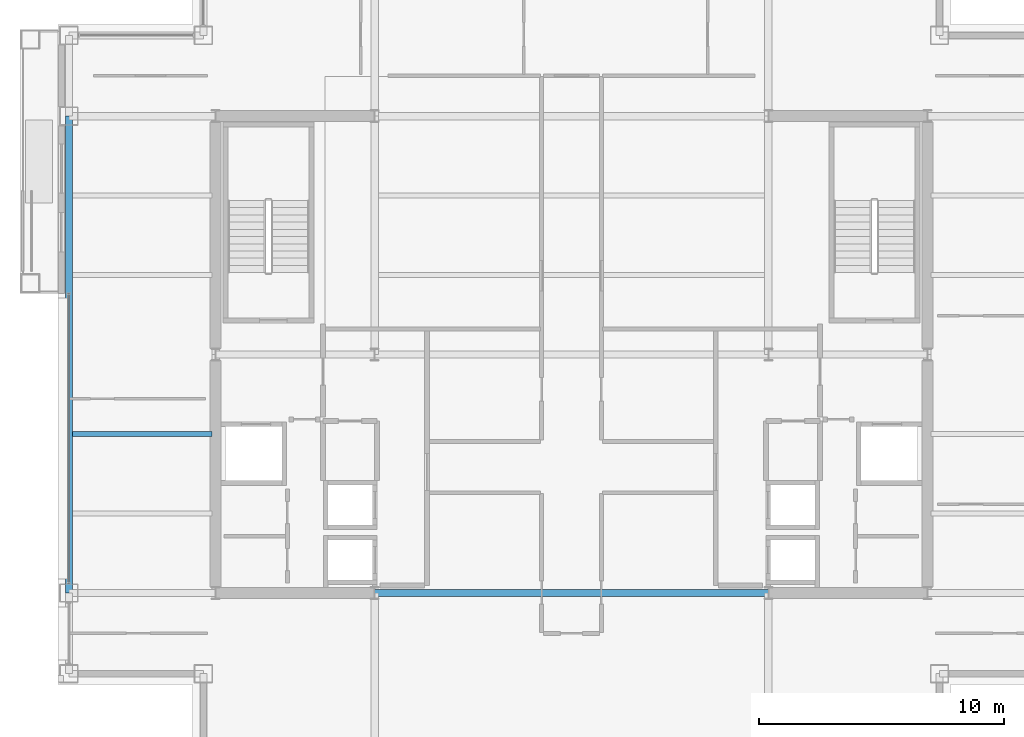
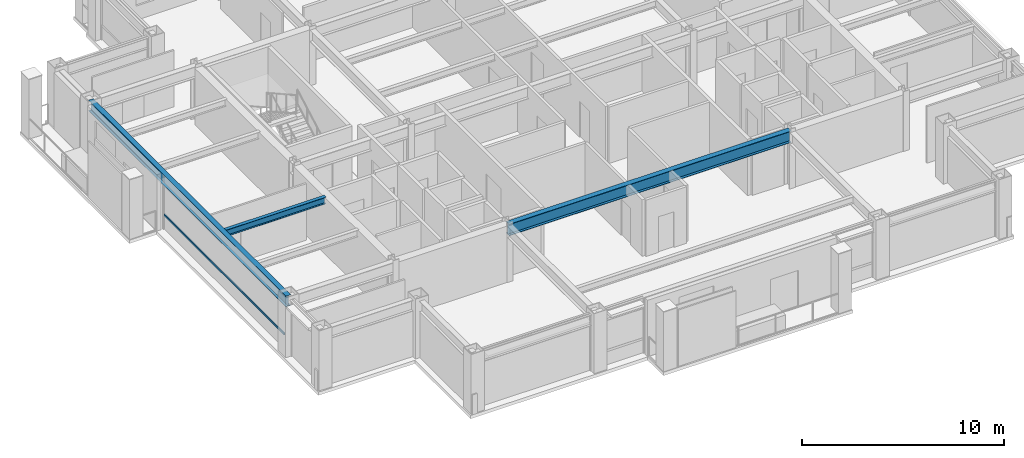
# One storey, part 8 of 28: 3 beams, 1 member, 1 element without a shape of its own.
"""IFC4 building model written with IfcOpenShell, lengths in metres."""

from ifc_helpers import new_model, si_unit, direction, frame, origin, origin_2d, place, context, subcontext, project, spatial, hollow_rectangle, i_section, extrude, material, layer, layer_set, material_profile, profile_set, type_object, element, aggregate, save


model = new_model("IFC4")

# Units and contexts
model_context = context("Model", 3, precision=1e-05, world=origin(), true_north=direction((0.0, 1.0)))
body_context = subcontext(model_context, "Body", "Model", "MODEL_VIEW")
ifc_project = project(units=[si_unit("LENGTHUNIT", "METRE"), si_unit("AREAUNIT", "SQUARE_METRE"), si_unit("VOLUMEUNIT", "CUBIC_METRE"), si_unit("PLANEANGLEUNIT", "RADIAN"), si_unit("MASSUNIT", "GRAM", prefix="KILO")], contexts=[model_context])

# Site, building, storey
site_placement = place(None, origin())
site = spatial("IfcSite", under=ifc_project, at=site_placement, CompositionType="ELEMENT")
building_placement = place(site_placement, origin())
building = spatial("IfcBuilding", under=site, at=building_placement, Name="Brelmoor Portico Tower", CompositionType="ELEMENT")
storey_placement = place(building_placement, frame((0.0, 0.0, 165.89990234375)))
storey = spatial("IfcBuildingStorey", under=building, at=storey_placement, Name="L43", CompositionType="ELEMENT", Elevation=165.89990234375)

# Beams
ifc_material_1 = material(Name="Steel Q355B", Category="steel")
ifc_material_profile_1 = material_profile(ifc_material_1, i_section(OverallWidth=0.199951171875, OverallDepth=0.39990234375, WebThickness=0.008056640625, FlangeThickness=0.012939453125, at=origin_2d()), Name="HN 400x200x8x13")
ifc_profile_set_1 = profile_set([ifc_material_profile_1], Name="Steel Q355B")
beam_type_1 = type_object("IfcBeamType", Name="BM-JS-400", PredefinedType="JOIST", material=ifc_profile_set_1)
beam_1_placement = place(storey_placement, frame((-20.409912109375, -3.25, 3.2001953125), z_axis=(1.0, 0.0, 0.0), x_axis=(0.0, 1.0, 0.0)))
element("IfcBeam", 1, at=beam_1_placement, inside=storey, type_object=beam_type_1, Name="L43 Secondary Wing Joist JS-W06", PredefinedType="JOIST", context=body_context, shape_type="SweptSolid", body=[
    extrude(i_section(OverallWidth=0.199951171875, OverallDepth=0.39990234375, WebThickness=0.008056640625, FlangeThickness=0.012939453125, at=origin_2d()), origin(), (0.0, 0.0, 1.0), 5.7099609375),
])
ifc_material_profile_2 = material_profile(ifc_material_1, i_section(OverallWidth=0.300048828125, OverallDepth=0.699951171875, WebThickness=0.012939453125, FlangeThickness=0.02392578125, at=origin_2d()), Name="HN 700x300x13x24")
ifc_profile_set_2 = profile_set([ifc_material_profile_2], Name="Steel Q355B")
beam_type_2 = type_object("IfcBeamType", Name="BM-PG-700", PredefinedType="BEAM", material=ifc_profile_set_2)
beam_2_placement = place(storey_placement, frame((-8.050048828125, -9.75, 3.050048828125), z_axis=(1.0, 0.0, 0.0), x_axis=(0.0, 1.0, 0.0)))
element("IfcBeam", 2, at=beam_2_placement, inside=storey, type_object=beam_type_2, Name="L43 Primary Floor Girder PG-13", PredefinedType="BEAM", context=body_context, shape_type="SweptSolid", body=[
    extrude(i_section(OverallWidth=0.300048828125, OverallDepth=0.699951171875, WebThickness=0.012939453125, FlangeThickness=0.02392578125, at=origin_2d()), origin(), (0.0, 0.0, 1.0), 16.10009765625),
])
ifc_material_profile_3 = material_profile(ifc_material_1, i_section(OverallWidth=0.280029296875, OverallDepth=0.64990234375, WebThickness=0.012939453125, FlangeThickness=0.02197265625, at=origin_2d()), Name="HN 650x280x13x22")
ifc_profile_set_3 = profile_set([ifc_material_profile_3], Name="Steel Q355B")
beam_type_3 = type_object("IfcBeamType", Name="BM-SP-650", PredefinedType="SPANDREL", material=ifc_profile_set_3)
beam_3_placement = place(storey_placement, frame((-20.550048828125, -9.75, 3.0751953125), z_axis=(0.0, 1.0, 0.0), x_axis=(-1.0, 0.0, 0.0)))
element("IfcBeam", 3, at=beam_3_placement, inside=storey, type_object=beam_type_3, Name="L43 Perimeter Spandrel Beam SP-12", PredefinedType="SPANDREL", context=body_context, shape_type="SweptSolid", body=[
    extrude(i_section(OverallWidth=0.280029296875, OverallDepth=0.64990234375, WebThickness=0.012939453125, FlangeThickness=0.02197265625, at=origin_2d()), origin(), (0.0, 0.0, 1.0), 19.5),
])

# Curtain wall, member
ifc_material_2 = material(Name="Anodised Aluminium Alloy 6063-T6", Category="aluminium")
ifc_layer = layer(ifc_material_2, 0.179931640625)
ifc_layer_set = layer_set([ifc_layer], Name="Anodised Aluminium Alloy 6063-T6")
curtain_wall_type = type_object("IfcCurtainWallType", Name="CW-TOWER-Z3", PredefinedType="NOTDEFINED", material=ifc_layer_set)
curtain_wall_placement = place(storey_placement, origin())
curtain_wall = element("IfcCurtainWall", 4, at=curtain_wall_placement, inside=storey, type_object=curtain_wall_type, Name="L43 Curtain Wall CW-L43-3L-2", PredefinedType="NOTDEFINED")
ifc_material_profile_4 = material_profile(ifc_material_2, hollow_rectangle(XDim=0.06005859375, YDim=0.125, WallThickness=0.00341796875, at=origin_2d()), Name="ALU TRANSOM 60x125")
ifc_profile_set_4 = profile_set([ifc_material_profile_4], Name="Anodised Aluminium Alloy 6063-T6")
member_type = type_object("IfcMemberType", Name="MB-CW-TRAN-125", PredefinedType="USERDEFINED", material=ifc_profile_set_4)
member_placement = place(storey_placement, frame((-20.550048828125, -9.364990234375, 0.85009765625), z_axis=(0.0, 1.0, 0.0), x_axis=(-1.0, 0.0, 0.0)))
member = element("IfcMember", 5, at=member_placement, type_object=member_type, Name="CW-L43-3L-2 Transom 1-00", ObjectType="TRANSOM", PredefinedType="USERDEFINED", context=body_context, shape_type="SweptSolid", body=[
    extrude(hollow_rectangle(XDim=0.06005859375, YDim=0.125, WallThickness=0.00341796875, at=origin_2d()), origin(), (0.0, 0.0, 1.0), 11.864990234375),
])
aggregate(curtain_wall, [member])

save(model, "model.ifc")
